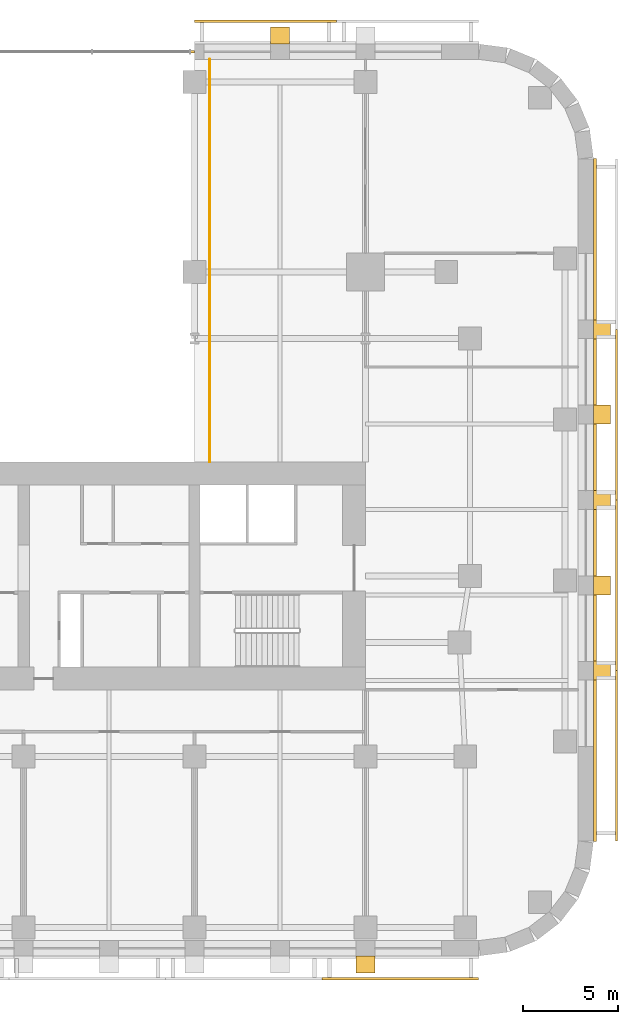
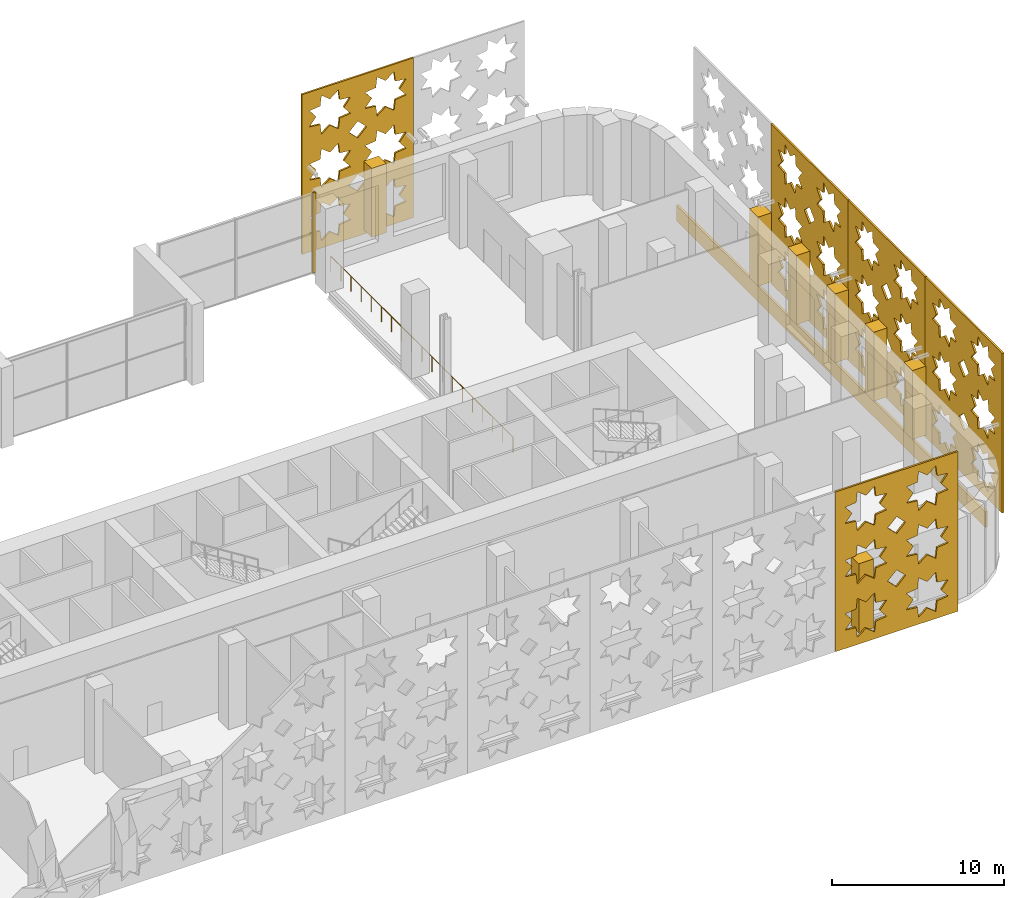
# One storey, part 16 of 17: 14 coverings, 1 railing.
"""IFC4 building model written with IfcOpenShell, lengths in metres."""

from ifc_helpers import new_model, si_unit, direction, frame, origin, origin_2d, place, context, subcontext, project, spatial, polyline, rectangle, circle, outline, extrude, material, layer, layer_set, type_object, element, save


model = new_model("IFC4")

# Units and contexts
model_context = context("Model", 3, precision=1e-05, world=origin(), true_north=direction((0.0, 1.0)))
body_context = subcontext(model_context, "Body", "Model", "MODEL_VIEW")
ifc_project = project(units=[si_unit("LENGTHUNIT", "METRE"), si_unit("AREAUNIT", "SQUARE_METRE"), si_unit("VOLUMEUNIT", "CUBIC_METRE"), si_unit("PLANEANGLEUNIT", "RADIAN"), si_unit("MASSUNIT", "GRAM", prefix="KILO")], contexts=[model_context])

# Site, building, storey
site_placement = place(None, origin())
site = spatial("IfcSite", under=ifc_project, at=site_placement, CompositionType="ELEMENT")
building_placement = place(site_placement, origin())
building = spatial("IfcBuilding", under=site, at=building_placement, Name="Zellij Exchange Tower", CompositionType="ELEMENT")
storey_placement = place(building_placement, frame((0.0, 0.0, 9.0)))
storey = spatial("IfcBuildingStorey", under=building, at=storey_placement, Name="L01", CompositionType="ELEMENT", Elevation=9.0)

# Coverings
ifc_material_1 = material(Name="Limestone cladding", Category="masonry")
ifc_layer_1 = layer(ifc_material_1, 0.14990234375)
ifc_layer_set_1 = layer_set([ifc_layer_1], Name="Limestone cladding")
covering_type_1 = type_object("IfcCoveringType", Name="ENV-CV1 Stone spandrel band 150", PredefinedType="CLADDING", material=ifc_layer_set_1)
covering_1_placement = place(storey_placement, frame((0.0, 0.0, -0.300048828125)))
element("IfcCovering", 1, at=covering_1_placement, inside=storey, type_object=covering_type_1, Name="Stone spandrel band", PredefinedType="CLADDING", context=body_context, shape_type="SweptSolid", body=[
    extrude(outline(polyline([(39.0, -21.973876953125), (39.0, 13.973876953125), (39.14990234375, 13.983642578125), (39.14990234375, -21.983642578125), (39.0, -21.973876953125)])), origin(), (0.0, 0.0, 1.0), 1.10009765625),
])
ifc_layer_2 = layer(ifc_material_1, 0.1201171875)
ifc_layer_set_2 = layer_set([ifc_layer_2], Name="Limestone cladding")
covering_type_2 = type_object("IfcCoveringType", Name="ENV-CV18 Glazing closer 120", PredefinedType="CLADDING", material=ifc_layer_set_2)
covering_2_placement = place(storey_placement, frame((17.89990234375, 19.60009765625, 0.0), z_axis=(0.0, 0.0, 1.0), x_axis=(1.0, 0.0, 0.0)))
element("IfcCovering", 2, at=covering_2_placement, inside=storey, type_object=covering_type_2, Name="Glazing closer", PredefinedType="CLADDING", context=body_context, shape_type="SweptSolid", body=[
    extrude(rectangle(XDim=0.199951171875, YDim=0.1201171875, at=origin_2d()), origin(), (0.0, 0.0, 1.0), 5.699951171875),
])
covering_type_3 = type_object("IfcCoveringType", Name="ENV-CV2 Stone pier 1000x900", PredefinedType="CLADDING", material=ifc_material_1)
covering_3_placement = place(storey_placement, frame((0.0, 0.0, 0.800048828125)))
element("IfcCovering", 3, at=covering_3_placement, inside=storey, type_object=covering_type_3, Name="Stone pier", PredefinedType="CLADDING", context=body_context, shape_type="SweptSolid", body=[
    extrude(outline(polyline([(26.5, -28.0), (27.5, -28.0), (27.5, -28.89990234375), (26.5, -28.89990234375), (26.5, -28.0)])), origin(), (0.0, 0.0, 1.0), 4.89990234375),
])
covering_4_placement = place(storey_placement, frame((0.0, 0.0, 0.800048828125)))
element("IfcCovering", 4, at=covering_4_placement, inside=storey, type_object=covering_type_3, Name="Stone pier", PredefinedType="CLADDING", context=body_context, shape_type="SweptSolid", body=[
    extrude(outline(polyline([(39.0, -13.48681640625), (39.0, -12.48681640625), (39.89990234375, -12.48681640625), (39.89990234375, -13.48681640625), (39.0, -13.48681640625)])), origin(), (0.0, 0.0, 1.0), 4.89990234375),
])
covering_5_placement = place(storey_placement, frame((0.0, 0.0, 0.800048828125)))
element("IfcCovering", 5, at=covering_5_placement, inside=storey, type_object=covering_type_3, Name="Stone pier", PredefinedType="CLADDING", context=body_context, shape_type="SweptSolid", body=[
    extrude(outline(polyline([(39.0, -8.993408203125), (39.0, -7.993408203125), (39.89990234375, -7.993408203125), (39.89990234375, -8.993408203125), (39.0, -8.993408203125)])), origin(), (0.0, 0.0, 1.0), 4.89990234375),
])
covering_6_placement = place(storey_placement, frame((0.0, 0.0, 0.800048828125)))
element("IfcCovering", 6, at=covering_6_placement, inside=storey, type_object=covering_type_3, Name="Stone pier", PredefinedType="CLADDING", context=body_context, shape_type="SweptSolid", body=[
    extrude(outline(polyline([(39.0, -4.5), (39.0, -3.5), (39.89990234375, -3.5), (39.89990234375, -4.5), (39.0, -4.5)])), origin(), (0.0, 0.0, 1.0), 4.89990234375),
])
covering_7_placement = place(storey_placement, frame((0.0, 0.0, 0.800048828125)))
element("IfcCovering", 7, at=covering_7_placement, inside=storey, type_object=covering_type_3, Name="Stone pier", PredefinedType="CLADDING", context=body_context, shape_type="SweptSolid", body=[
    extrude(outline(polyline([(39.0, -0.006591796875), (39.0, 0.993408203125), (39.89990234375, 0.993408203125), (39.89990234375, -0.006591796875), (39.0, -0.006591796875)])), origin(), (0.0, 0.0, 1.0), 4.89990234375),
])
covering_8_placement = place(storey_placement, frame((0.0, 0.0, 0.800048828125)))
element("IfcCovering", 8, at=covering_8_placement, inside=storey, type_object=covering_type_3, Name="Stone pier", PredefinedType="CLADDING", context=body_context, shape_type="SweptSolid", body=[
    extrude(outline(polyline([(39.0, 4.48681640625), (39.0, 5.48681640625), (39.89990234375, 5.48681640625), (39.89990234375, 4.48681640625), (39.0, 4.48681640625)])), origin(), (0.0, 0.0, 1.0), 4.89990234375),
])
covering_9_placement = place(storey_placement, frame((0.0, 0.0, 0.800048828125)))
element("IfcCovering", 9, at=covering_9_placement, inside=storey, type_object=covering_type_3, Name="Stone pier", PredefinedType="CLADDING", context=body_context, shape_type="SweptSolid", body=[
    extrude(outline(polyline([(23.0, 20.0), (22.0, 20.0), (22.0, 20.89990234375), (23.0, 20.89990234375), (23.0, 20.0)])), origin(), (0.0, 0.0, 1.0), 4.89990234375),
])
ifc_material_2 = material(Name="Limestone screen", Category="masonry")
ifc_layer_3 = layer(ifc_material_2, 0.1201171875)
ifc_layer_set_3 = layer_set([ifc_layer_3], Name="Limestone screen")
covering_type_4 = type_object("IfcCoveringType", Name="ENV-SC1 Pierced stone screen 120", PredefinedType="USERDEFINED", material=ifc_layer_set_3)
covering_10_placement = place(storey_placement, frame((24.710693359375, -29.2099609375, 0.300048828125), z_axis=(0.0, 0.0, 1.0), x_axis=(1.0, 0.0, 0.0)))
element("IfcCovering", 10, at=covering_10_placement, inside=storey, type_object=covering_type_4, Name="Pierced stone screen", ObjectType="SCREEN", PredefinedType="USERDEFINED", context=body_context, shape_type="SweptSolid", body=[
    extrude(outline(polyline([(0.0, 0.0), (8.23681640625, 0.0), (8.23681640625, 11.35009765625), (0.0, 11.35009765625), (0.0, 0.0)]), holes=[polyline([(3.45751953125, 2.470703125), (2.72265625, 2.55517578125), (2.638427734375, 3.289794921875), (2.05908203125, 2.829833984375), (1.47998046875, 3.289794921875), (1.395751953125, 2.55517578125), (0.6611328125, 2.470703125), (1.12109375, 1.8916015625), (0.6611328125, 1.3125), (1.395751953125, 1.228271484375), (1.47998046875, 0.493408203125), (2.05908203125, 0.953369140625), (2.638427734375, 0.493408203125), (2.72265625, 1.228271484375), (3.45751953125, 1.3125), (2.99755859375, 1.8916015625), (3.45751953125, 2.470703125)]), polyline([(3.45751953125, 6.254150390625), (2.72265625, 6.33837890625), (2.638427734375, 7.072998046875), (2.05908203125, 6.61328125), (1.47998046875, 7.072998046875), (1.395751953125, 6.33837890625), (0.6611328125, 6.254150390625), (1.12109375, 5.675048828125), (0.6611328125, 5.095947265625), (1.395751953125, 5.011474609375), (1.47998046875, 4.27685546875), (2.05908203125, 4.73681640625), (2.638427734375, 4.27685546875), (2.72265625, 5.011474609375), (3.45751953125, 5.095947265625), (2.99755859375, 5.675048828125), (3.45751953125, 6.254150390625)]), polyline([(3.45751953125, 10.03759765625), (2.72265625, 10.121826171875), (2.638427734375, 10.8564453125), (2.05908203125, 10.396484375), (1.47998046875, 10.8564453125), (1.395751953125, 10.121826171875), (0.6611328125, 10.03759765625), (1.12109375, 9.458251953125), (0.6611328125, 8.879150390625), (1.395751953125, 8.794921875), (1.47998046875, 8.060302734375), (2.05908203125, 8.52001953125), (2.638427734375, 8.060302734375), (2.72265625, 8.794921875), (3.45751953125, 8.879150390625), (2.99755859375, 9.458251953125), (3.45751953125, 10.03759765625)]), polyline([(7.57568359375, 2.470703125), (6.841064453125, 2.55517578125), (6.7568359375, 3.289794921875), (6.177734375, 2.829833984375), (5.598388671875, 3.289794921875), (5.51416015625, 2.55517578125), (4.779541015625, 2.470703125), (5.239501953125, 1.8916015625), (4.779541015625, 1.3125), (5.51416015625, 1.228271484375), (5.598388671875, 0.493408203125), (6.177734375, 0.953369140625), (6.7568359375, 0.493408203125), (6.841064453125, 1.228271484375), (7.57568359375, 1.3125), (7.115966796875, 1.8916015625), (7.57568359375, 2.470703125)]), polyline([(7.57568359375, 6.254150390625), (6.841064453125, 6.33837890625), (6.7568359375, 7.072998046875), (6.177734375, 6.61328125), (5.598388671875, 7.072998046875), (5.51416015625, 6.33837890625), (4.779541015625, 6.254150390625), (5.239501953125, 5.675048828125), (4.779541015625, 5.095947265625), (5.51416015625, 5.011474609375), (5.598388671875, 4.27685546875), (6.177734375, 4.73681640625), (6.7568359375, 4.27685546875), (6.841064453125, 5.011474609375), (7.57568359375, 5.095947265625), (7.115966796875, 5.675048828125), (7.57568359375, 6.254150390625)]), polyline([(7.57568359375, 10.03759765625), (6.841064453125, 10.121826171875), (6.7568359375, 10.8564453125), (6.177734375, 10.396484375), (5.598388671875, 10.8564453125), (5.51416015625, 10.121826171875), (4.779541015625, 10.03759765625), (5.239501953125, 9.458251953125), (4.779541015625, 8.879150390625), (5.51416015625, 8.794921875), (5.598388671875, 8.060302734375), (6.177734375, 8.52001953125), (6.7568359375, 8.060302734375), (6.841064453125, 8.794921875), (7.57568359375, 8.879150390625), (7.115966796875, 9.458251953125), (7.57568359375, 10.03759765625)]), polyline([(4.723876953125, 3.783203125), (4.118408203125, 4.388671875), (3.51318359375, 3.783203125), (4.118408203125, 3.177978515625), (4.723876953125, 3.783203125)]), polyline([(4.723876953125, 7.566650390625), (4.118408203125, 8.172119140625), (3.51318359375, 7.566650390625), (4.118408203125, 6.961181640625), (4.723876953125, 7.566650390625)])]), frame((0.0, 0.06005859375, 0.0), z_axis=(0.0, -1.0, 0.0), x_axis=(1.0, 0.0, 0.0)), (0.0, 0.0, 1.0), 0.1201171875),
])
covering_11_placement = place(storey_placement, frame((25.473876953125, 21.2099609375, 0.300048828125), z_axis=(0.0, 0.0, 1.0), x_axis=(-1.0, 0.0, 0.0)))
element("IfcCovering", 11, at=covering_11_placement, inside=storey, type_object=covering_type_4, Name="Pierced stone screen", ObjectType="SCREEN", PredefinedType="USERDEFINED", context=body_context, shape_type="SweptSolid", body=[
    extrude(outline(polyline([(0.0, 0.0), (7.473876953125, 0.0), (7.473876953125, 11.35009765625), (0.0, 11.35009765625), (0.0, 0.0)]), holes=[polyline([(3.24951171875, 2.463623046875), (2.523681640625, 2.547119140625), (2.4404296875, 3.272705078125), (1.868408203125, 2.818359375), (1.29638671875, 3.272705078125), (1.213134765625, 2.547119140625), (0.487548828125, 2.463623046875), (0.941650390625, 1.8916015625), (0.487548828125, 1.319580078125), (1.213134765625, 1.236328125), (1.29638671875, 0.5107421875), (1.868408203125, 0.96484375), (2.4404296875, 0.5107421875), (2.523681640625, 1.236328125), (3.24951171875, 1.319580078125), (2.795166015625, 1.8916015625), (3.24951171875, 2.463623046875)]), polyline([(3.24951171875, 6.2470703125), (2.523681640625, 6.330322265625), (2.4404296875, 7.055908203125), (1.868408203125, 6.601806640625), (1.29638671875, 7.055908203125), (1.213134765625, 6.330322265625), (0.487548828125, 6.2470703125), (0.941650390625, 5.675048828125), (0.487548828125, 5.10302734375), (1.213134765625, 5.019775390625), (1.29638671875, 4.2939453125), (1.868408203125, 4.748291015625), (2.4404296875, 4.2939453125), (2.523681640625, 5.019775390625), (3.24951171875, 5.10302734375), (2.795166015625, 5.675048828125), (3.24951171875, 6.2470703125)]), polyline([(3.24951171875, 10.030517578125), (2.523681640625, 10.113525390625), (2.4404296875, 10.83935546875), (1.868408203125, 10.385009765625), (1.29638671875, 10.83935546875), (1.213134765625, 10.113525390625), (0.487548828125, 10.030517578125), (0.941650390625, 9.458251953125), (0.487548828125, 8.88623046875), (1.213134765625, 8.802978515625), (1.29638671875, 8.077392578125), (1.868408203125, 8.531494140625), (2.4404296875, 8.077392578125), (2.523681640625, 8.802978515625), (3.24951171875, 8.88623046875), (2.795166015625, 9.458251953125), (3.24951171875, 10.030517578125)]), polyline([(6.986328125, 2.463623046875), (6.2607421875, 2.547119140625), (6.177490234375, 3.272705078125), (5.605224609375, 2.818359375), (5.033203125, 3.272705078125), (4.949951171875, 2.547119140625), (4.224365234375, 2.463623046875), (4.6787109375, 1.8916015625), (4.224365234375, 1.319580078125), (4.949951171875, 1.236328125), (5.033203125, 0.5107421875), (5.605224609375, 0.96484375), (6.177490234375, 0.5107421875), (6.2607421875, 1.236328125), (6.986328125, 1.319580078125), (6.531982421875, 1.8916015625), (6.986328125, 2.463623046875)]), polyline([(6.986328125, 6.2470703125), (6.2607421875, 6.330322265625), (6.177490234375, 7.055908203125), (5.605224609375, 6.601806640625), (5.033203125, 7.055908203125), (4.949951171875, 6.330322265625), (4.224365234375, 6.2470703125), (4.6787109375, 5.675048828125), (4.224365234375, 5.10302734375), (4.949951171875, 5.019775390625), (5.033203125, 4.2939453125), (5.605224609375, 4.748291015625), (6.177490234375, 4.2939453125), (6.2607421875, 5.019775390625), (6.986328125, 5.10302734375), (6.531982421875, 5.675048828125), (6.986328125, 6.2470703125)]), polyline([(6.986328125, 10.030517578125), (6.2607421875, 10.113525390625), (6.177490234375, 10.83935546875), (5.605224609375, 10.385009765625), (5.033203125, 10.83935546875), (4.949951171875, 10.113525390625), (4.224365234375, 10.030517578125), (4.6787109375, 9.458251953125), (4.224365234375, 8.88623046875), (4.949951171875, 8.802978515625), (5.033203125, 8.077392578125), (5.605224609375, 8.531494140625), (6.177490234375, 8.077392578125), (6.2607421875, 8.802978515625), (6.986328125, 8.88623046875), (6.531982421875, 9.458251953125), (6.986328125, 10.030517578125)]), polyline([(4.334716796875, 3.783203125), (3.73681640625, 4.381103515625), (3.138916015625, 3.783203125), (3.73681640625, 3.185302734375), (4.334716796875, 3.783203125)]), polyline([(4.334716796875, 7.566650390625), (3.73681640625, 8.16455078125), (3.138916015625, 7.566650390625), (3.73681640625, 6.96875), (4.334716796875, 7.566650390625)])]), frame((0.0, 0.06005859375, 0.0), z_axis=(0.0, -1.0, 0.0), x_axis=(1.0, 0.0, 0.0)), (0.0, 0.0, 1.0), 0.1201171875),
])
covering_12_placement = place(storey_placement, frame((40.2099609375, -21.947509765625, 0.300048828125), z_axis=(0.0, 0.0, 1.0), x_axis=(0.0, 1.0, 0.0)))
element("IfcCovering", 12, at=covering_12_placement, inside=storey, type_object=covering_type_4, Name="Pierced stone screen", ObjectType="SCREEN", PredefinedType="USERDEFINED", context=body_context, shape_type="SweptSolid", body=[
    extrude(outline(polyline([(0.0, 0.0), (8.973876953125, 0.0), (8.973876953125, 11.35009765625), (0.0, 11.35009765625), (0.0, 0.0)]), holes=[polyline([(3.6416015625, 2.470703125), (2.906982421875, 2.55517578125), (2.822509765625, 3.289794921875), (2.243408203125, 2.829833984375), (1.664306640625, 3.289794921875), (1.580078125, 2.55517578125), (0.84521484375, 2.470703125), (1.30517578125, 1.8916015625), (0.84521484375, 1.3125), (1.580078125, 1.228271484375), (1.664306640625, 0.493408203125), (2.243408203125, 0.953369140625), (2.822509765625, 0.493408203125), (2.906982421875, 1.228271484375), (3.6416015625, 1.3125), (3.181640625, 1.8916015625), (3.6416015625, 2.470703125)]), polyline([(3.6416015625, 6.254150390625), (2.906982421875, 6.33837890625), (2.822509765625, 7.072998046875), (2.243408203125, 6.61328125), (1.664306640625, 7.072998046875), (1.580078125, 6.33837890625), (0.84521484375, 6.254150390625), (1.30517578125, 5.675048828125), (0.84521484375, 5.095947265625), (1.580078125, 5.011474609375), (1.664306640625, 4.27685546875), (2.243408203125, 4.73681640625), (2.822509765625, 4.27685546875), (2.906982421875, 5.011474609375), (3.6416015625, 5.095947265625), (3.181640625, 5.675048828125), (3.6416015625, 6.254150390625)]), polyline([(3.6416015625, 10.03759765625), (2.906982421875, 10.121826171875), (2.822509765625, 10.8564453125), (2.243408203125, 10.396484375), (1.664306640625, 10.8564453125), (1.580078125, 10.121826171875), (0.84521484375, 10.03759765625), (1.30517578125, 9.458251953125), (0.84521484375, 8.879150390625), (1.580078125, 8.794921875), (1.664306640625, 8.060302734375), (2.243408203125, 8.52001953125), (2.822509765625, 8.060302734375), (2.906982421875, 8.794921875), (3.6416015625, 8.879150390625), (3.181640625, 9.458251953125), (3.6416015625, 10.03759765625)]), polyline([(8.12841796875, 2.470703125), (7.393798828125, 2.55517578125), (7.3095703125, 3.289794921875), (6.730224609375, 2.829833984375), (6.151123046875, 3.289794921875), (6.06689453125, 2.55517578125), (5.332275390625, 2.470703125), (5.7919921875, 1.8916015625), (5.332275390625, 1.3125), (6.06689453125, 1.228271484375), (6.151123046875, 0.493408203125), (6.730224609375, 0.953369140625), (7.3095703125, 0.493408203125), (7.393798828125, 1.228271484375), (8.12841796875, 1.3125), (7.668701171875, 1.8916015625), (8.12841796875, 2.470703125)]), polyline([(8.12841796875, 6.254150390625), (7.393798828125, 6.33837890625), (7.3095703125, 7.072998046875), (6.730224609375, 6.61328125), (6.151123046875, 7.072998046875), (6.06689453125, 6.33837890625), (5.332275390625, 6.254150390625), (5.7919921875, 5.675048828125), (5.332275390625, 5.095947265625), (6.06689453125, 5.011474609375), (6.151123046875, 4.27685546875), (6.730224609375, 4.73681640625), (7.3095703125, 4.27685546875), (7.393798828125, 5.011474609375), (8.12841796875, 5.095947265625), (7.668701171875, 5.675048828125), (8.12841796875, 6.254150390625)]), polyline([(8.12841796875, 10.03759765625), (7.393798828125, 10.121826171875), (7.3095703125, 10.8564453125), (6.730224609375, 10.396484375), (6.151123046875, 10.8564453125), (6.06689453125, 10.121826171875), (5.332275390625, 10.03759765625), (5.7919921875, 9.458251953125), (5.332275390625, 8.879150390625), (6.06689453125, 8.794921875), (6.151123046875, 8.060302734375), (6.730224609375, 8.52001953125), (7.3095703125, 8.060302734375), (7.393798828125, 8.794921875), (8.12841796875, 8.879150390625), (7.668701171875, 9.458251953125), (8.12841796875, 10.03759765625)]), polyline([(5.09228515625, 3.783203125), (4.48681640625, 4.388671875), (3.881591796875, 3.783203125), (4.48681640625, 3.177978515625), (5.09228515625, 3.783203125)]), polyline([(5.09228515625, 7.566650390625), (4.48681640625, 8.172119140625), (3.881591796875, 7.566650390625), (4.48681640625, 6.961181640625), (5.09228515625, 7.566650390625)])]), frame((0.0, 0.06005859375, 0.0), z_axis=(0.0, -1.0, 0.0), x_axis=(1.0, 0.0, 0.0)), (0.0, 0.0, 1.0), 0.1201171875),
])
covering_13_placement = place(storey_placement, frame((40.2099609375, -12.973876953125, 0.300048828125), z_axis=(0.0, 0.0, 1.0), x_axis=(0.0, 1.0, 0.0)))
element("IfcCovering", 13, at=covering_13_placement, inside=storey, type_object=covering_type_4, Name="Pierced stone screen", ObjectType="SCREEN", PredefinedType="USERDEFINED", context=body_context, shape_type="SweptSolid", body=[
    extrude(outline(polyline([(0.0, 0.0), (8.973876953125, 0.0), (8.973876953125, 11.35009765625), (0.0, 11.35009765625), (0.0, 0.0)]), holes=[polyline([(3.6416015625, 2.470703125), (2.906982421875, 2.55517578125), (2.822509765625, 3.289794921875), (2.243408203125, 2.829833984375), (1.664306640625, 3.289794921875), (1.580078125, 2.55517578125), (0.84521484375, 2.470703125), (1.30517578125, 1.8916015625), (0.84521484375, 1.3125), (1.580078125, 1.228271484375), (1.664306640625, 0.493408203125), (2.243408203125, 0.953369140625), (2.822509765625, 0.493408203125), (2.906982421875, 1.228271484375), (3.6416015625, 1.3125), (3.181640625, 1.8916015625), (3.6416015625, 2.470703125)]), polyline([(3.6416015625, 6.254150390625), (2.906982421875, 6.33837890625), (2.822509765625, 7.072998046875), (2.243408203125, 6.61328125), (1.664306640625, 7.072998046875), (1.580078125, 6.33837890625), (0.84521484375, 6.254150390625), (1.30517578125, 5.675048828125), (0.84521484375, 5.095947265625), (1.580078125, 5.011474609375), (1.664306640625, 4.27685546875), (2.243408203125, 4.73681640625), (2.822509765625, 4.27685546875), (2.906982421875, 5.011474609375), (3.6416015625, 5.095947265625), (3.181640625, 5.675048828125), (3.6416015625, 6.254150390625)]), polyline([(3.6416015625, 10.03759765625), (2.906982421875, 10.121826171875), (2.822509765625, 10.8564453125), (2.243408203125, 10.396484375), (1.664306640625, 10.8564453125), (1.580078125, 10.121826171875), (0.84521484375, 10.03759765625), (1.30517578125, 9.458251953125), (0.84521484375, 8.879150390625), (1.580078125, 8.794921875), (1.664306640625, 8.060302734375), (2.243408203125, 8.52001953125), (2.822509765625, 8.060302734375), (2.906982421875, 8.794921875), (3.6416015625, 8.879150390625), (3.181640625, 9.458251953125), (3.6416015625, 10.03759765625)]), polyline([(8.12841796875, 2.470703125), (7.393798828125, 2.55517578125), (7.3095703125, 3.289794921875), (6.730224609375, 2.829833984375), (6.151123046875, 3.289794921875), (6.06689453125, 2.55517578125), (5.332275390625, 2.470703125), (5.7919921875, 1.8916015625), (5.332275390625, 1.3125), (6.06689453125, 1.228271484375), (6.151123046875, 0.493408203125), (6.730224609375, 0.953369140625), (7.3095703125, 0.493408203125), (7.393798828125, 1.228271484375), (8.12841796875, 1.3125), (7.668701171875, 1.8916015625), (8.12841796875, 2.470703125)]), polyline([(8.12841796875, 6.254150390625), (7.393798828125, 6.33837890625), (7.3095703125, 7.072998046875), (6.730224609375, 6.61328125), (6.151123046875, 7.072998046875), (6.06689453125, 6.33837890625), (5.332275390625, 6.254150390625), (5.7919921875, 5.675048828125), (5.332275390625, 5.095947265625), (6.06689453125, 5.011474609375), (6.151123046875, 4.27685546875), (6.730224609375, 4.73681640625), (7.3095703125, 4.27685546875), (7.393798828125, 5.011474609375), (8.12841796875, 5.095947265625), (7.668701171875, 5.675048828125), (8.12841796875, 6.254150390625)]), polyline([(8.12841796875, 10.03759765625), (7.393798828125, 10.121826171875), (7.3095703125, 10.8564453125), (6.730224609375, 10.396484375), (6.151123046875, 10.8564453125), (6.06689453125, 10.121826171875), (5.332275390625, 10.03759765625), (5.7919921875, 9.458251953125), (5.332275390625, 8.879150390625), (6.06689453125, 8.794921875), (6.151123046875, 8.060302734375), (6.730224609375, 8.52001953125), (7.3095703125, 8.060302734375), (7.393798828125, 8.794921875), (8.12841796875, 8.879150390625), (7.668701171875, 9.458251953125), (8.12841796875, 10.03759765625)]), polyline([(5.09228515625, 3.783203125), (4.48681640625, 4.388671875), (3.881591796875, 3.783203125), (4.48681640625, 3.177978515625), (5.09228515625, 3.783203125)]), polyline([(5.09228515625, 7.566650390625), (4.48681640625, 8.172119140625), (3.881591796875, 7.566650390625), (4.48681640625, 6.961181640625), (5.09228515625, 7.566650390625)])]), frame((0.0, 0.06005859375, 0.0), z_axis=(0.0, -1.0, 0.0), x_axis=(1.0, 0.0, 0.0)), (0.0, 0.0, 1.0), 0.1201171875),
])
covering_14_placement = place(storey_placement, frame((40.2099609375, -4.0, 0.300048828125), z_axis=(0.0, 0.0, 1.0), x_axis=(0.0, 1.0, 0.0)))
element("IfcCovering", 14, at=covering_14_placement, inside=storey, type_object=covering_type_4, Name="Pierced stone screen", ObjectType="SCREEN", PredefinedType="USERDEFINED", context=body_context, shape_type="SweptSolid", body=[
    extrude(outline(polyline([(0.0, 0.0), (8.973876953125, 0.0), (8.973876953125, 11.35009765625), (0.0, 11.35009765625), (0.0, 0.0)]), holes=[polyline([(3.6416015625, 2.470703125), (2.906982421875, 2.55517578125), (2.822509765625, 3.289794921875), (2.243408203125, 2.829833984375), (1.664306640625, 3.289794921875), (1.580078125, 2.55517578125), (0.84521484375, 2.470703125), (1.30517578125, 1.8916015625), (0.84521484375, 1.3125), (1.580078125, 1.228271484375), (1.664306640625, 0.493408203125), (2.243408203125, 0.953369140625), (2.822509765625, 0.493408203125), (2.906982421875, 1.228271484375), (3.6416015625, 1.3125), (3.181640625, 1.8916015625), (3.6416015625, 2.470703125)]), polyline([(3.6416015625, 6.254150390625), (2.906982421875, 6.33837890625), (2.822509765625, 7.072998046875), (2.243408203125, 6.61328125), (1.664306640625, 7.072998046875), (1.580078125, 6.33837890625), (0.84521484375, 6.254150390625), (1.30517578125, 5.675048828125), (0.84521484375, 5.095947265625), (1.580078125, 5.011474609375), (1.664306640625, 4.27685546875), (2.243408203125, 4.73681640625), (2.822509765625, 4.27685546875), (2.906982421875, 5.011474609375), (3.6416015625, 5.095947265625), (3.181640625, 5.675048828125), (3.6416015625, 6.254150390625)]), polyline([(3.6416015625, 10.03759765625), (2.906982421875, 10.121826171875), (2.822509765625, 10.8564453125), (2.243408203125, 10.396484375), (1.664306640625, 10.8564453125), (1.580078125, 10.121826171875), (0.84521484375, 10.03759765625), (1.30517578125, 9.458251953125), (0.84521484375, 8.879150390625), (1.580078125, 8.794921875), (1.664306640625, 8.060302734375), (2.243408203125, 8.52001953125), (2.822509765625, 8.060302734375), (2.906982421875, 8.794921875), (3.6416015625, 8.879150390625), (3.181640625, 9.458251953125), (3.6416015625, 10.03759765625)]), polyline([(8.12841796875, 2.470703125), (7.393798828125, 2.55517578125), (7.3095703125, 3.289794921875), (6.730224609375, 2.829833984375), (6.151123046875, 3.289794921875), (6.06689453125, 2.55517578125), (5.332275390625, 2.470703125), (5.7919921875, 1.8916015625), (5.332275390625, 1.3125), (6.06689453125, 1.228271484375), (6.151123046875, 0.493408203125), (6.730224609375, 0.953369140625), (7.3095703125, 0.493408203125), (7.393798828125, 1.228271484375), (8.12841796875, 1.3125), (7.668701171875, 1.8916015625), (8.12841796875, 2.470703125)]), polyline([(8.12841796875, 6.254150390625), (7.393798828125, 6.33837890625), (7.3095703125, 7.072998046875), (6.730224609375, 6.61328125), (6.151123046875, 7.072998046875), (6.06689453125, 6.33837890625), (5.332275390625, 6.254150390625), (5.7919921875, 5.675048828125), (5.332275390625, 5.095947265625), (6.06689453125, 5.011474609375), (6.151123046875, 4.27685546875), (6.730224609375, 4.73681640625), (7.3095703125, 4.27685546875), (7.393798828125, 5.011474609375), (8.12841796875, 5.095947265625), (7.668701171875, 5.675048828125), (8.12841796875, 6.254150390625)]), polyline([(8.12841796875, 10.03759765625), (7.393798828125, 10.121826171875), (7.3095703125, 10.8564453125), (6.730224609375, 10.396484375), (6.151123046875, 10.8564453125), (6.06689453125, 10.121826171875), (5.332275390625, 10.03759765625), (5.7919921875, 9.458251953125), (5.332275390625, 8.879150390625), (6.06689453125, 8.794921875), (6.151123046875, 8.060302734375), (6.730224609375, 8.52001953125), (7.3095703125, 8.060302734375), (7.393798828125, 8.794921875), (8.12841796875, 8.879150390625), (7.668701171875, 9.458251953125), (8.12841796875, 10.03759765625)]), polyline([(5.09228515625, 3.783203125), (4.48681640625, 4.388671875), (3.881591796875, 3.783203125), (4.48681640625, 3.177978515625), (5.09228515625, 3.783203125)]), polyline([(5.09228515625, 7.566650390625), (4.48681640625, 8.172119140625), (3.881591796875, 7.566650390625), (4.48681640625, 6.961181640625), (5.09228515625, 7.566650390625)])]), frame((0.0, 0.06005859375, 0.0), z_axis=(0.0, -1.0, 0.0), x_axis=(1.0, 0.0, 0.0)), (0.0, 0.0, 1.0), 0.1201171875),
])

# Railing
ifc_material_3 = material(Name="Steel and glass guard", Category="steel")
railing_type = type_object("IfcRailingType", Name="FIT-GUARD-1100", PredefinedType="GUARDRAIL", material=ifc_material_3)
railing_placement = place(storey_placement, frame((18.800048828125, -2.0, 0.0)))
element("IfcRailing", 15, at=railing_placement, inside=storey, type_object=railing_type, Name="Hall edge guard 002", PredefinedType="GUARDRAIL", context=body_context, shape_type="SweptSolid", body=[
    extrude(circle(Radius=0.02490234375, at=origin_2d()), frame((0.0, 0.0, 1.0751953125), z_axis=(0.0, 1.0, 0.0), x_axis=(-1.0, 0.0, 0.0)), (0.0, 0.0, 1.0), 21.199951171875),
    extrude(circle(Radius=0.02001953125, at=origin_2d()), origin(), (0.0, 0.0, 1.0), 1.050048828125),
    extrude(circle(Radius=0.02001953125, at=origin_2d()), frame((0.0, 1.177734375, 0.0)), (0.0, 0.0, 1.0), 1.050048828125),
    extrude(circle(Radius=0.02001953125, at=origin_2d()), frame((0.0, 2.35546875, 0.0)), (0.0, 0.0, 1.0), 1.050048828125),
    extrude(circle(Radius=0.02001953125, at=origin_2d()), frame((0.0, 3.533203125, 0.0)), (0.0, 0.0, 1.0), 1.050048828125),
    extrude(circle(Radius=0.02001953125, at=origin_2d()), frame((0.0, 4.711181640625, 0.0)), (0.0, 0.0, 1.0), 1.050048828125),
    extrude(circle(Radius=0.02001953125, at=origin_2d()), frame((0.0, 5.888916015625, 0.0)), (0.0, 0.0, 1.0), 1.050048828125),
    extrude(circle(Radius=0.02001953125, at=origin_2d()), frame((0.0, 7.066650390625, 0.0)), (0.0, 0.0, 1.0), 1.050048828125),
    extrude(circle(Radius=0.02001953125, at=origin_2d()), frame((0.0, 8.244384765625, 0.0)), (0.0, 0.0, 1.0), 1.050048828125),
    extrude(circle(Radius=0.02001953125, at=origin_2d()), frame((0.0, 9.422119140625, 0.0)), (0.0, 0.0, 1.0), 1.050048828125),
    extrude(circle(Radius=0.02001953125, at=origin_2d()), frame((0.0, 10.60009765625, 0.0)), (0.0, 0.0, 1.0), 1.050048828125),
    extrude(circle(Radius=0.02001953125, at=origin_2d()), frame((0.0, 11.77783203125, 0.0)), (0.0, 0.0, 1.0), 1.050048828125),
    extrude(circle(Radius=0.02001953125, at=origin_2d()), frame((0.0, 12.95556640625, 0.0)), (0.0, 0.0, 1.0), 1.050048828125),
    extrude(circle(Radius=0.02001953125, at=origin_2d()), frame((0.0, 14.13330078125, 0.0)), (0.0, 0.0, 1.0), 1.050048828125),
    extrude(circle(Radius=0.02001953125, at=origin_2d()), frame((0.0, 15.31103515625, 0.0)), (0.0, 0.0, 1.0), 1.050048828125),
    extrude(circle(Radius=0.02001953125, at=origin_2d()), frame((0.0, 16.48876953125, 0.0)), (0.0, 0.0, 1.0), 1.050048828125),
    extrude(circle(Radius=0.02001953125, at=origin_2d()), frame((0.0, 17.66650390625, 0.0)), (0.0, 0.0, 1.0), 1.050048828125),
    extrude(circle(Radius=0.02001953125, at=origin_2d()), frame((0.0, 18.844482421875, 0.0)), (0.0, 0.0, 1.0), 1.050048828125),
    extrude(circle(Radius=0.02001953125, at=origin_2d()), frame((0.0, 20.022216796875, 0.0)), (0.0, 0.0, 1.0), 1.050048828125),
    extrude(circle(Radius=0.02001953125, at=origin_2d()), frame((0.0, 21.199951171875, 0.0)), (0.0, 0.0, 1.0), 1.050048828125),
])

save(model, "model.ifc")
